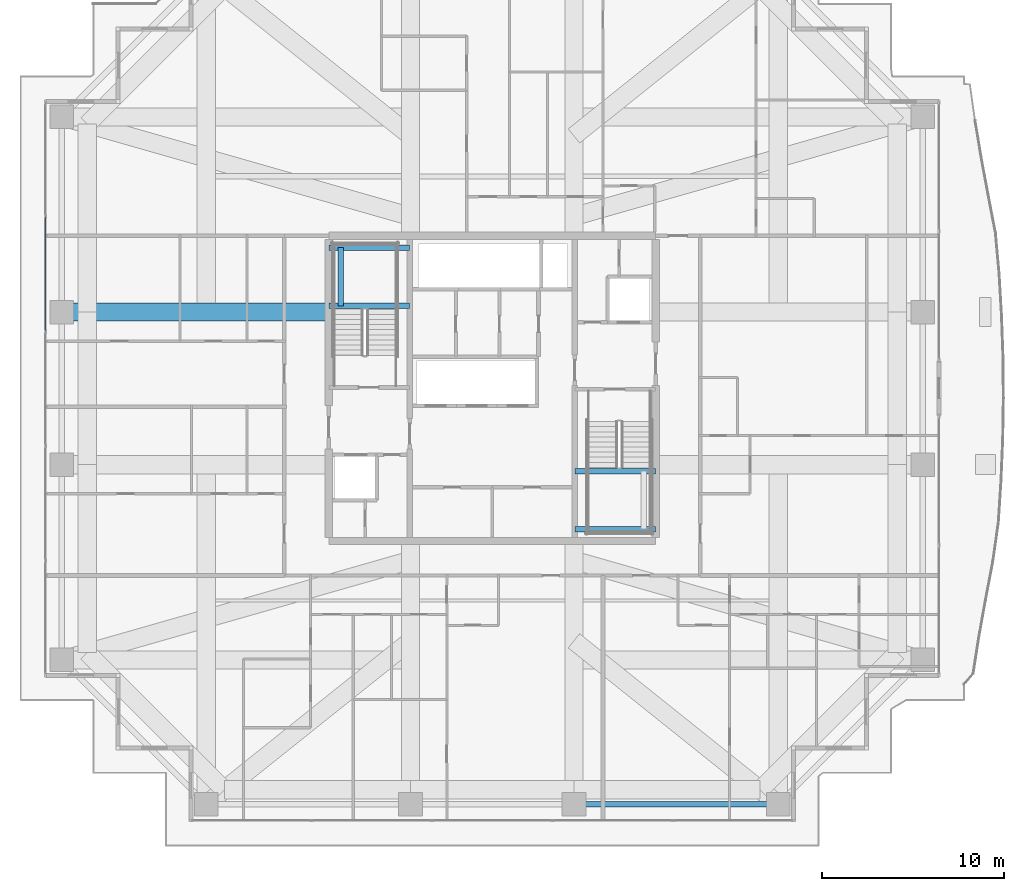
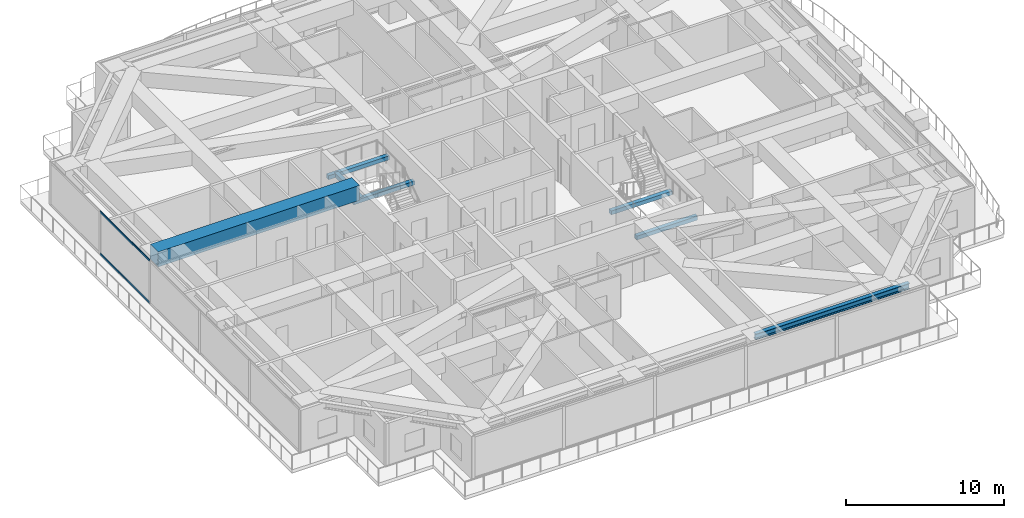
# One storey, part 8 of 32: 7 beams, 2 members, 1 element without a shape of its own.
"""IFC4 building model written with IfcOpenShell, lengths in metres."""

from ifc_helpers import new_model, si_unit, direction, frame, origin, origin_2d, place, context, subcontext, project, spatial, rectangle, hollow_rectangle, i_section, extrude, source, transform, mapped, material, layer, layer_set, material_profile, profile_set, type_object, element, aggregate, save


model = new_model("IFC4")

# Units and contexts
model_context = context("Model", 3, precision=1e-05, world=origin(), true_north=direction((0.0, 1.0)))
body_context = subcontext(model_context, "Body", "Model", "MODEL_VIEW")
ifc_project = project(units=[si_unit("LENGTHUNIT", "METRE"), si_unit("AREAUNIT", "SQUARE_METRE"), si_unit("VOLUMEUNIT", "CUBIC_METRE"), si_unit("PLANEANGLEUNIT", "RADIAN"), si_unit("MASSUNIT", "GRAM", prefix="KILO")], contexts=[model_context])

# Site, building, storey
site_placement = place(None, origin())
site = spatial("IfcSite", under=ifc_project, at=site_placement, CompositionType="ELEMENT")
building_placement = place(site_placement, origin())
building = spatial("IfcBuilding", under=site, at=building_placement, Name="Serunith Strait Residences", CompositionType="ELEMENT")
storey_placement = place(building_placement, frame((0.0, 0.0, 195.14990234375)))
storey = spatial("IfcBuildingStorey", under=building, at=storey_placement, Name="L49", CompositionType="ELEMENT", Elevation=195.14990234375)

# Beams
ifc_material_1 = material(Name="Steel S355J2", Category="steel")
ifc_material_profile_1 = material_profile(ifc_material_1, i_section(OverallWidth=0.300048828125, OverallDepth=0.449951171875, WebThickness=0.013916015625, FlangeThickness=0.02587890625, FilletRadius=0.027099609375, at=origin_2d()), Name="HEB 450")
ifc_profile_set_1 = profile_set([ifc_material_profile_1], Name="Steel S355J2")
beam_type_1 = type_object("IfcBeamType", Name="BM-HEB450", PredefinedType="BEAM", material=ifc_profile_set_1)
shared_shape_1 = source(origin(), body_context, "Body", "SweptSolid", [
    extrude(i_section(OverallWidth=0.300048828125, OverallDepth=0.449951171875, WebThickness=0.013916015625, FlangeThickness=0.02587890625, FilletRadius=0.027099609375, at=origin_2d()), origin(), (0.0, 0.0, 1.0), 11.25),
])
beam_1_placement = place(storey_placement, frame((36.89990234375, 2.300048828125, 3.08203125), z_axis=(1.0, 0.0, 0.0), x_axis=(0.0, 1.0, 0.0)))
element("IfcBeam", 1, at=beam_1_placement, inside=storey, type_object=beam_type_1, Name="L49 Perimeter Ring Beam 03", PredefinedType="BEAM", context=body_context, shape_type="MappedRepresentation", body=[
    mapped(shared_shape_1, transform((0.0, 0.0, 0.0), scale=1.0)),
])
ifc_material_2 = material(Name="Concrete C80/95", Category="concrete")
ifc_material_profile_2 = material_profile(ifc_material_2, rectangle(XDim=1.0, YDim=1.14990234375, at=origin_2d()), Name="RC 1000x1150")
ifc_profile_set_2 = profile_set([ifc_material_profile_2], Name="Concrete C80/95")
beam_type_2 = type_object("IfcBeamType", Name="BM-XFER-1000x1150", PredefinedType="BEAM", material=ifc_profile_set_2)
shared_shape_2 = source(origin(), body_context, "Body", "SweptSolid", [
    extrude(rectangle(XDim=1.0, YDim=1.14990234375, at=origin_2d()), origin(), (0.0, 0.0, 1.0), 14.699951171875),
])
beam_2_placement = place(storey_placement, frame((23.39990234375, 29.39990234375, 2.735107421875), z_axis=(-1.0, 0.0, 0.0), x_axis=(0.0, -1.0, 0.0)))
element("IfcBeam", 2, at=beam_2_placement, inside=storey, type_object=beam_type_2, Name="L49 Primary Floor Girder TC-W3", PredefinedType="BEAM", context=body_context, shape_type="MappedRepresentation", body=[
    mapped(shared_shape_2, transform((0.0, 0.0, 0.0), scale=1.0)),
])
ifc_material_3 = material(Name="Concrete C60/75", Category="concrete")
ifc_material_profile_3 = material_profile(ifc_material_3, rectangle(XDim=0.300048828125, YDim=0.300048828125, at=origin_2d()), Name="RC 300x300")
ifc_profile_set_3 = profile_set([ifc_material_profile_3], Name="Concrete C60/75")
beam_type_3 = type_object("IfcBeamType", Name="BM-LAND-300x300", PredefinedType="BEAM", material=ifc_profile_set_3)
shared_shape_3 = source(origin(), body_context, "Body", "SweptSolid", [
    extrude(rectangle(XDim=0.300048828125, YDim=0.300048828125, at=origin_2d()), origin(), (0.0, 0.0, 1.0), 4.4501953125),
])
for number, where, z_axis, x_axis, name in (
    (3, (23.39990234375, 29.75, 1.525146484375), (1.0, 0.0, 0.0), (0.0, 1.0, 0.0), "L49 ST-1 Landing Support Beam 1"),
    (4, (23.39990234375, 32.949951171875, 1.525146484375), (1.0, 0.0, 0.0), (0.0, 1.0, 0.0), "L49 ST-1 Landing Support Beam 2"),
):
    element("IfcBeam", number, at=place(storey_placement, frame(where, z_axis=z_axis, x_axis=x_axis)), inside=storey, type_object=beam_type_3, Name=name, PredefinedType="BEAM", context=body_context, shape_type="MappedRepresentation", body=[
        mapped(shared_shape_3, transform((0.0, 0.0, 0.0), scale=1.0)),
    ])
shared_shape_4 = source(origin(), body_context, "Body", "SweptSolid", [
    extrude(rectangle(XDim=0.300048828125, YDim=0.300048828125, at=origin_2d()), origin(), (0.0, 0.0, 1.0), 3.199951171875),
])
beam_3_placement = place(storey_placement, frame((24.050048828125, 29.75, 1.525146484375), z_axis=(0.0, 1.0, 0.0), x_axis=(-1.0, 0.0, 0.0)))
element("IfcBeam", 5, at=beam_3_placement, inside=storey, type_object=beam_type_3, Name="L49 ST-1 Landing Transverse Tie Beam", PredefinedType="BEAM", context=body_context, shape_type="MappedRepresentation", body=[
    mapped(shared_shape_4, transform((0.0, 0.0, 0.0), scale=1.0)),
])
shared_shape_5 = source(origin(), body_context, "Body", "SweptSolid", [
    extrude(rectangle(XDim=0.300048828125, YDim=0.300048828125, at=origin_2d()), origin(), (0.0, 0.0, 1.0), 4.449951171875),
])
for number, where, z_axis, x_axis, name in (
    (6, (36.949951171875, 17.449951171875, 1.525146484375), (1.0, 0.0, 0.0), (0.0, 1.0, 0.0), "L49 ST-2 Landing Support Beam 1"),
    (7, (36.949951171875, 20.64990234375, 1.525146484375), (1.0, 0.0, 0.0), (0.0, 1.0, 0.0), "L49 ST-2 Landing Support Beam 2"),
):
    element("IfcBeam", number, at=place(storey_placement, frame(where, z_axis=z_axis, x_axis=x_axis)), inside=storey, type_object=beam_type_3, Name=name, PredefinedType="BEAM", context=body_context, shape_type="MappedRepresentation", body=[
        mapped(shared_shape_5, transform((0.0, 0.0, 0.0), scale=1.0)),
    ])

# Curtain wall, members
ifc_material_4 = material(Name="Pale-Silver PVDF Aluminium", Category="aluminium")
ifc_layer = layer(ifc_material_4, 0.199951171875, Name="Pale-Silver PVDF Aluminium")
ifc_layer_set = layer_set([ifc_layer], Name="Pale-Silver PVDF Aluminium")
curtain_wall_type = type_object("IfcCurtainWallType", Name="CW-SYS3", PredefinedType="NOTDEFINED", material=ifc_layer_set)
curtain_wall_placement = place(storey_placement, origin())
curtain_wall = element("IfcCurtainWall", 8, at=curtain_wall_placement, inside=storey, type_object=curtain_wall_type, Name="L49 W Unitised Fritted Curtain Wall", PredefinedType="NOTDEFINED")
ifc_material_profile_4 = material_profile(ifc_material_4, hollow_rectangle(XDim=0.06005859375, YDim=0.159912109375, WallThickness=0.00341796875, InnerFilletRadius=0.00537109375, OuterFilletRadius=0.0087890625, at=origin_2d()), Name="ALU 160x60x3.5")
ifc_profile_set_4 = profile_set([ifc_material_profile_4], Name="Pale-Silver PVDF Aluminium")
member_type = type_object("IfcMemberType", Name="CW-SYS3-TRAN", PredefinedType="USERDEFINED", material=ifc_profile_set_4)
shared_shape_6 = source(origin(), body_context, "Body", "SweptSolid", [
    extrude(hollow_rectangle(XDim=0.06005859375, YDim=0.159912109375, WallThickness=0.00341796875, InnerFilletRadius=0.00537109375, OuterFilletRadius=0.0087890625, at=origin_2d()), origin(), (0.0, 0.0, 1.0), 6.2451171875),
])
member_1_placement = place(storey_placement, frame((7.800048828125, 34.642578125, 0.030029296875), z_axis=(0.0, -1.0, 0.0), x_axis=(1.0, 0.0, 0.0)))
member_1 = element("IfcMember", 9, at=member_1_placement, type_object=member_type, Name="CW-3 transom 2.1", ObjectType="TRANSOM", PredefinedType="USERDEFINED", context=body_context, shape_type="MappedRepresentation", body=[
    mapped(shared_shape_6, transform((0.0, 0.0, 0.0), scale=1.0)),
])
member_2_placement = place(storey_placement, frame((7.800048828125, 34.642578125, 3.26513671875), z_axis=(0.0, -1.0, 0.0), x_axis=(1.0, 0.0, 0.0)))
member_2 = element("IfcMember", 10, at=member_2_placement, type_object=member_type, Name="CW-3 transom 2.2", ObjectType="TRANSOM", PredefinedType="USERDEFINED", context=body_context, shape_type="MappedRepresentation", body=[
    mapped(shared_shape_6, transform((0.0, 0.0, 0.0), scale=1.0)),
])
aggregate(curtain_wall, [member_1, member_2])

save(model, "model.ifc")
